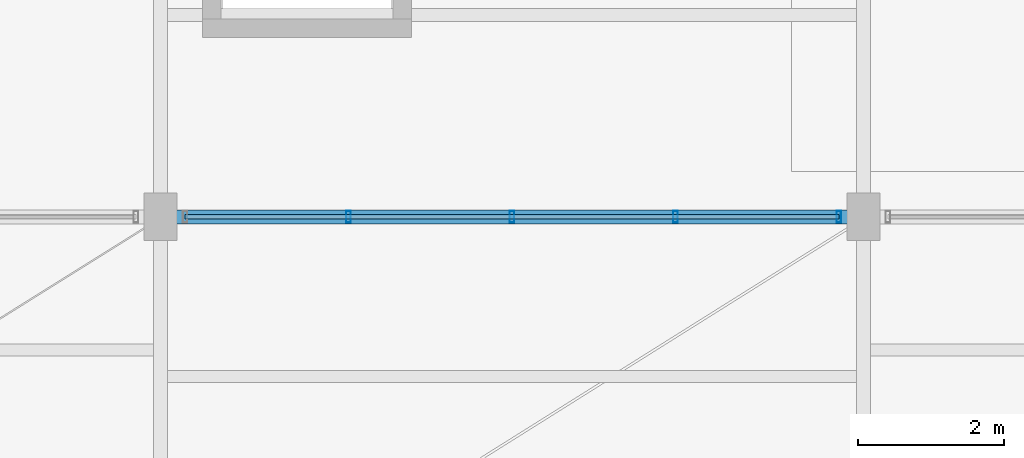
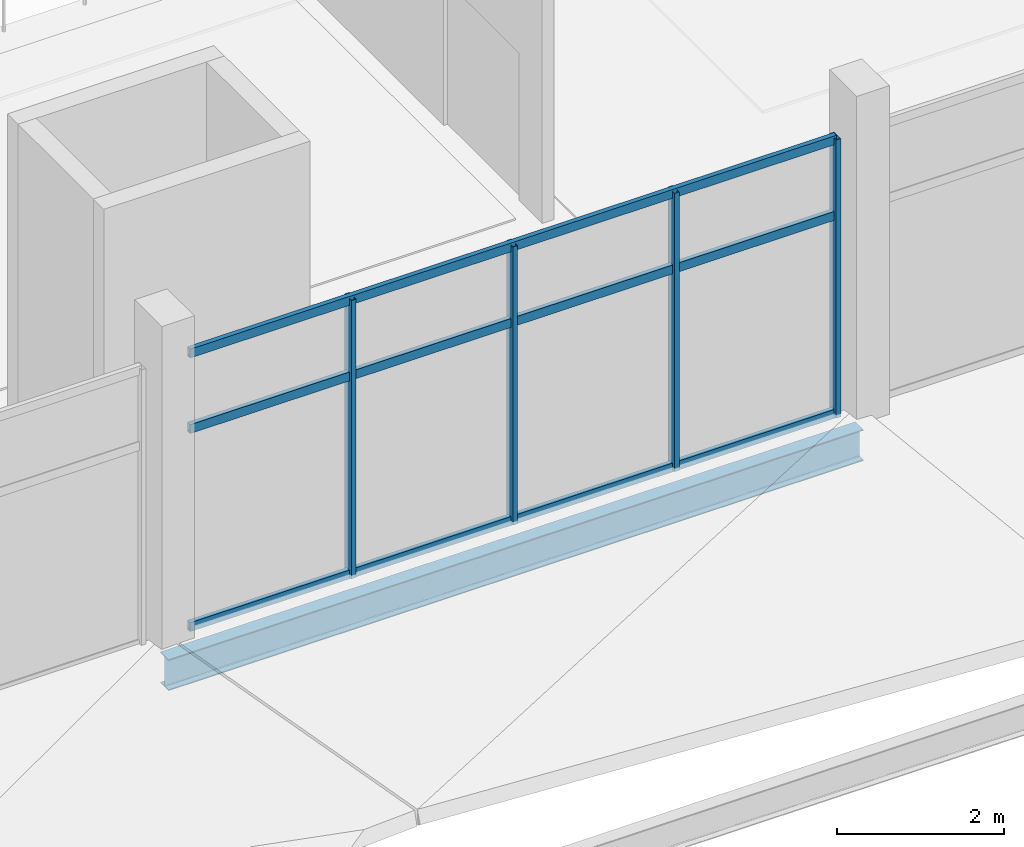
# One storey, part 17 of 157: 7 members, 1 beam, 1 element without a shape of its own.
"""IFC4 building model written with IfcOpenShell, lengths in metres."""

from ifc_helpers import new_model, si_unit, direction, frame, origin, origin_2d, place, context, subcontext, project, spatial, hollow_rectangle, i_section, extrude, material, layer, layer_set, material_profile, profile_set, type_object, element, aggregate, save


model = new_model("IFC4")

# Units and contexts
model_context = context("Model", 3, precision=1e-05, world=origin(), true_north=direction((0.0, 1.0)))
body_context = subcontext(model_context, "Body", "Model", "MODEL_VIEW")
ifc_project = project(units=[si_unit("LENGTHUNIT", "METRE"), si_unit("AREAUNIT", "SQUARE_METRE"), si_unit("VOLUMEUNIT", "CUBIC_METRE"), si_unit("PLANEANGLEUNIT", "RADIAN"), si_unit("MASSUNIT", "GRAM", prefix="KILO")], contexts=[model_context])

# Site, building, storey
site_placement = place(None, origin())
site = spatial("IfcSite", under=ifc_project, at=site_placement, CompositionType="ELEMENT")
building_placement = place(site_placement, origin())
building = spatial("IfcBuilding", under=site, at=building_placement, Name="Chalmorin Arch Market", CompositionType="ELEMENT")
storey_placement = place(building_placement, frame((0.0, 0.0, 4.800048828125)))
storey = spatial("IfcBuildingStorey", under=building, at=storey_placement, Name="L01", CompositionType="ELEMENT", Elevation=4.800048828125)

# Curtain wall, members
ifc_material_1 = material(Name="Aluminium 6063-T6", Category="aluminium")
ifc_layer = layer(ifc_material_1, 0.159912109375)
ifc_layer_set = layer_set([ifc_layer], Name="Aluminium 6063-T6")
curtain_wall_type = type_object("IfcCurtainWallType", Name="RiverfrontStorefrontCurtainWall-CW2-8930x4070", PredefinedType="NOTDEFINED", material=ifc_layer_set)
curtain_wall_placement = place(storey_placement, origin())
curtain_wall = element("IfcCurtainWall", 1, at=curtain_wall_placement, inside=storey, type_object=curtain_wall_type, Name="CW-02-095", PredefinedType="NOTDEFINED")
ifc_material_profile_1 = material_profile(ifc_material_1, hollow_rectangle(XDim=0.06494140625, YDim=0.159912109375, WallThickness=0.00390625, at=origin_2d()), Name="ALU65X160X4")
ifc_profile_set_1 = profile_set([ifc_material_profile_1], Name="Aluminium 6063-T6")
member_type_1 = type_object("IfcMemberType", Name="CurtainWallMullion-65x160", PredefinedType="MULLION", material=ifc_profile_set_1)
member_1_placement = place(storey_placement, frame((12.16748046875, 6.0, 0.0), z_axis=(0.0, 0.0, 1.0), x_axis=(1.0, 0.0, 0.0)))
member_1 = element("IfcMember", 2, at=member_1_placement, type_object=member_type_1, Name="ML-095-02", PredefinedType="MULLION", context=body_context, shape_type="SweptSolid", body=[
    extrude(hollow_rectangle(XDim=0.06494140625, YDim=0.159912109375, WallThickness=0.00390625, at=origin_2d()), origin(), (0.0, 0.0, 1.0), 4.06591796875),
])
member_2_placement = place(storey_placement, frame((14.39990234375, 6.0, 0.0), z_axis=(0.0, 0.0, 1.0), x_axis=(1.0, 0.0, 0.0)))
member_2 = element("IfcMember", 3, at=member_2_placement, type_object=member_type_1, Name="ML-095-03", PredefinedType="MULLION", context=body_context, shape_type="SweptSolid", body=[
    extrude(hollow_rectangle(XDim=0.06494140625, YDim=0.159912109375, WallThickness=0.00390625, at=origin_2d()), origin(), (0.0, 0.0, 1.0), 4.06591796875),
])
member_3_placement = place(storey_placement, frame((16.632568359375, 6.0, 0.0), z_axis=(0.0, 0.0, 1.0), x_axis=(1.0, 0.0, 0.0)))
member_3 = element("IfcMember", 4, at=member_3_placement, type_object=member_type_1, Name="ML-095-04", PredefinedType="MULLION", context=body_context, shape_type="SweptSolid", body=[
    extrude(hollow_rectangle(XDim=0.06494140625, YDim=0.159912109375, WallThickness=0.00390625, at=origin_2d()), origin(), (0.0, 0.0, 1.0), 4.06591796875),
])
member_4_placement = place(storey_placement, frame((18.864990234375, 6.0, 0.0), z_axis=(0.0, 0.0, 1.0), x_axis=(1.0, 0.0, 0.0)))
member_4 = element("IfcMember", 5, at=member_4_placement, type_object=member_type_1, Name="ML-095-05", PredefinedType="MULLION", context=body_context, shape_type="SweptSolid", body=[
    extrude(hollow_rectangle(XDim=0.06494140625, YDim=0.159912109375, WallThickness=0.00390625, at=origin_2d()), origin(), (0.0, 0.0, 1.0), 4.06591796875),
])
ifc_material_profile_2 = material_profile(ifc_material_1, hollow_rectangle(XDim=0.06494140625, YDim=0.1298828125, WallThickness=0.00390625, at=origin_2d()), Name="ALU65X130X4")
ifc_profile_set_2 = profile_set([ifc_material_profile_2], Name="Aluminium 6063-T6")
member_type_2 = type_object("IfcMemberType", Name="CurtainWallTransom-65x130", PredefinedType="USERDEFINED", material=ifc_profile_set_2)
member_5_placement = place(storey_placement, frame((9.93505859375, 6.0, 0.034912109375), z_axis=(1.0, 0.0, 0.0), x_axis=(0.0, 1.0, 0.0)))
member_5 = element("IfcMember", 6, at=member_5_placement, type_object=member_type_2, Name="TR-095-01", ObjectType="TRANSOM", PredefinedType="USERDEFINED", context=body_context, shape_type="SweptSolid", body=[
    extrude(hollow_rectangle(XDim=0.06494140625, YDim=0.1298828125, WallThickness=0.00390625, at=origin_2d()), origin(), (0.0, 0.0, 1.0), 8.929931640625),
])
member_6_placement = place(storey_placement, frame((9.93505859375, 6.0, 2.927490234375), z_axis=(1.0, 0.0, 0.0), x_axis=(0.0, 1.0, 0.0)))
member_6 = element("IfcMember", 7, at=member_6_placement, type_object=member_type_2, Name="TR-095-02", ObjectType="TRANSOM", PredefinedType="USERDEFINED", context=body_context, shape_type="SweptSolid", body=[
    extrude(hollow_rectangle(XDim=0.06494140625, YDim=0.1298828125, WallThickness=0.00390625, at=origin_2d()), origin(), (0.0, 0.0, 1.0), 8.929931640625),
])
member_7_placement = place(storey_placement, frame((9.93505859375, 6.0, 4.031005859375), z_axis=(1.0, 0.0, 0.0), x_axis=(0.0, 1.0, 0.0)))
member_7 = element("IfcMember", 8, at=member_7_placement, type_object=member_type_2, Name="TR-095-03", ObjectType="TRANSOM", PredefinedType="USERDEFINED", context=body_context, shape_type="SweptSolid", body=[
    extrude(hollow_rectangle(XDim=0.06494140625, YDim=0.1298828125, WallThickness=0.00390625, at=origin_2d()), origin(), (0.0, 0.0, 1.0), 8.929931640625),
])
aggregate(curtain_wall, [member_1, member_2, member_3, member_4, member_5, member_6, member_7])

# Beam
ifc_material_2 = material(Name="Steel A992 Grade 50", Category="steel")
ifc_material_profile_3 = material_profile(ifc_material_2, i_section(OverallWidth=0.19091796875, OverallDepth=0.45703125, WebThickness=0.009033203125, FlangeThickness=0.014404296875, FilletRadius=0.02001953125, at=origin_2d()), Name="W18X50")
ifc_profile_set_3 = profile_set([ifc_material_profile_3], Name="Steel A992 Grade 50")
beam_type = type_object("IfcBeamType", Name="PerimeterSpandrelBeam-W18X50", PredefinedType="SPANDREL", material=ifc_profile_set_3)
beam_placement = place(storey_placement, frame((9.60009765625, 6.0, -0.510498046875), z_axis=(1.0, 0.0, 0.0), x_axis=(0.0, 1.0, 0.0)))
element("IfcBeam", 9, at=beam_placement, inside=storey, type_object=beam_type, Name="SP-W18-0814", PredefinedType="SPANDREL", context=body_context, shape_type="SweptSolid", body=[
    extrude(i_section(OverallWidth=0.19091796875, OverallDepth=0.45703125, WebThickness=0.009033203125, FlangeThickness=0.014404296875, FilletRadius=0.02001953125, at=origin_2d()), origin(), (0.0, 0.0, 1.0), 9.599853515625),
])

save(model, "model.ifc")
